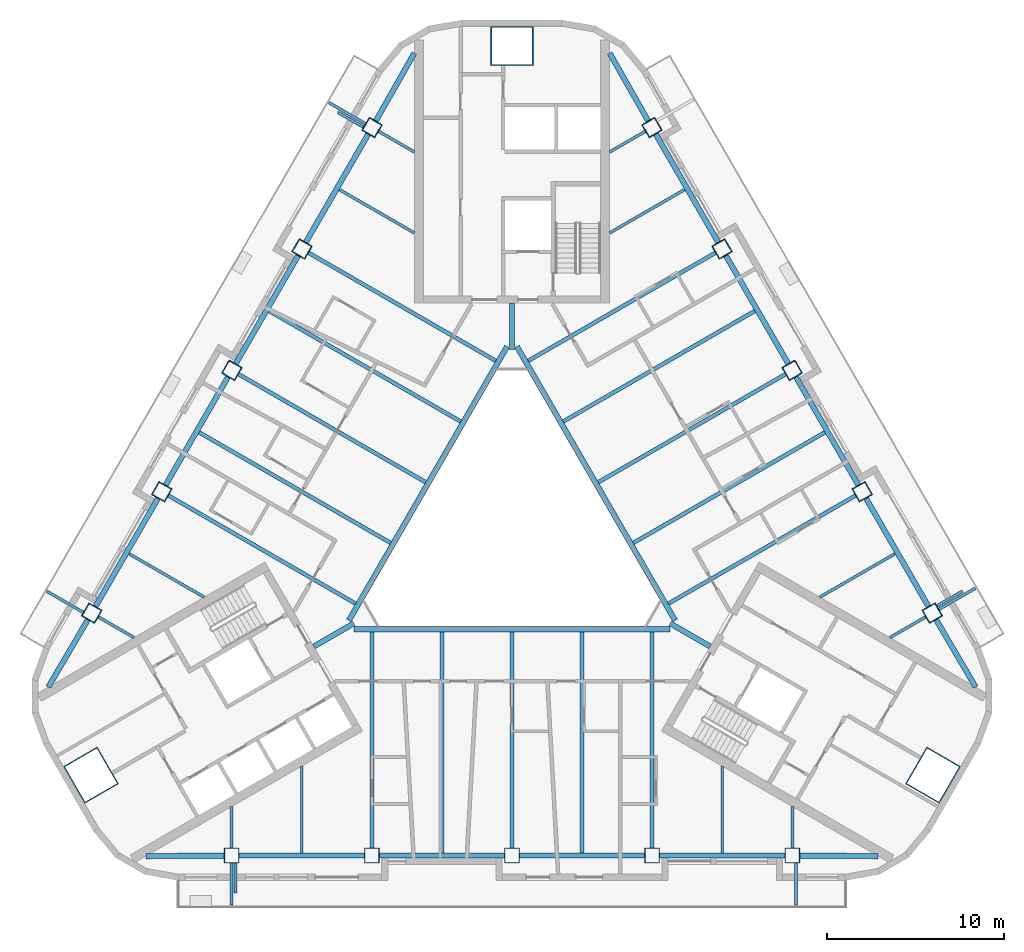
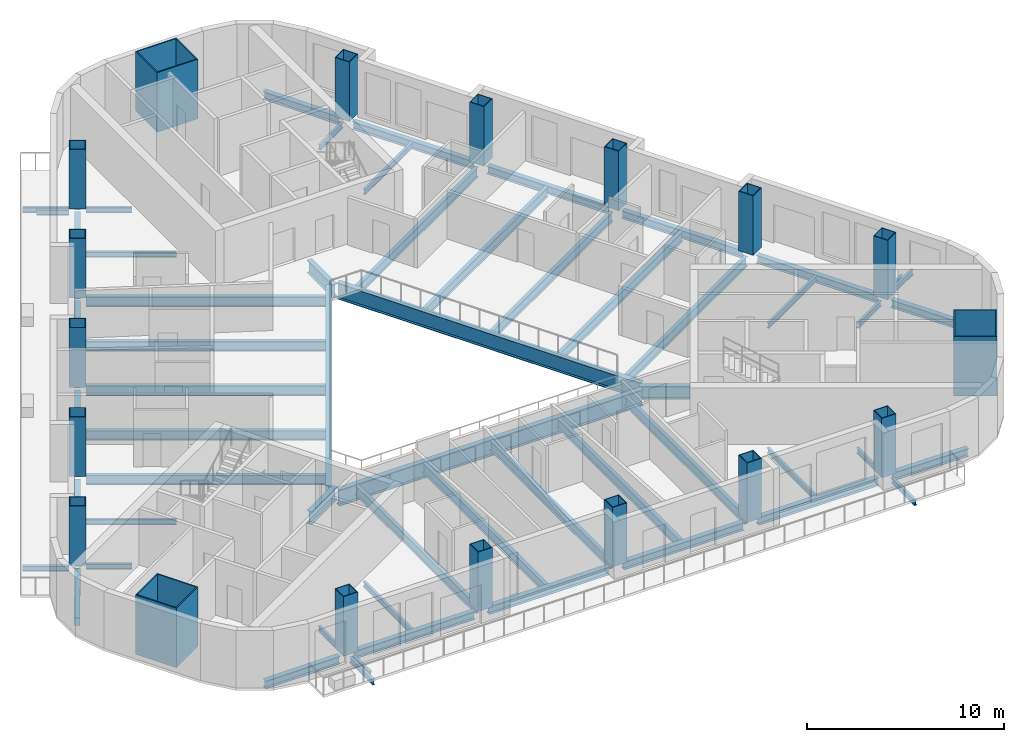
# One storey, part 1 of 14: 59 beams, 18 columns.
"""IFC4 building model written with IfcOpenShell, lengths in metres."""

from ifc_helpers import new_model, si_unit, direction, frame, origin, origin_2d, place, context, subcontext, project, spatial, rectangle, hollow_rectangle, i_section, extrude, material, material_profile, profile_set, type_object, element, save


model = new_model("IFC4")

# Units and contexts
model_context = context("Model", 3, precision=1e-05, world=origin(), true_north=direction((0.0, 1.0)))
body_context = subcontext(model_context, "Body", "Model", "MODEL_VIEW")
ifc_project = project(units=[si_unit("LENGTHUNIT", "METRE"), si_unit("AREAUNIT", "SQUARE_METRE"), si_unit("VOLUMEUNIT", "CUBIC_METRE"), si_unit("PLANEANGLEUNIT", "RADIAN"), si_unit("MASSUNIT", "GRAM", prefix="KILO")], contexts=[model_context])

# Site, building, storey
site_placement = place(None, origin())
site = spatial("IfcSite", under=ifc_project, at=site_placement, CompositionType="ELEMENT")
building_placement = place(site_placement, origin())
building = spatial("IfcBuilding", under=site, at=building_placement, Name="Apuvela Tower Hotel", CompositionType="ELEMENT")
storey_placement = place(building_placement, frame((0.0, 0.0, 150.300048828125)))
storey = spatial("IfcBuildingStorey", under=building, at=storey_placement, Name="L35", CompositionType="ELEMENT", Elevation=150.300048828125)

# Columns
ifc_material_1 = material(Name="Steel S460", Category="steel")
ifc_material_profile_1 = material_profile(ifc_material_1, hollow_rectangle(XDim=2.39990234375, YDim=2.199951171875, WallThickness=0.06005859375, at=origin_2d()), Name="BOX 2400x2200x60")
ifc_material_2 = material(Name="Concrete C80/95", Category="concrete")
ifc_material_profile_2 = material_profile(ifc_material_2, rectangle(XDim=2.280029296875, YDim=2.080078125, at=origin_2d()), Name="Concrete C80/95 infill")
ifc_profile_set_1 = profile_set([ifc_material_profile_1, ifc_material_profile_2], Name="Steel S460")
column_type_1 = type_object("IfcColumnType", Name="STR-MC mega column BOX 2400x2200x60", PredefinedType="COLUMN", material=ifc_profile_set_1)
for number, where, z_axis, x_axis, name in (
    (1, (0.0, 27.39990234375, 0.0), (0.0, 0.0, 1.0), (1.0, 0.0, 0.0), "Mega column MC3 N"),
    (2, (-23.72900390625, -13.699951171875, 0.0), (0.0, 0.0, 1.0), (-0.5, 0.866025403784, 0.0), "Mega column MC3 SW"),
    (3, (23.72900390625, -13.699951171875, 0.0), (0.0, 0.0, 1.0), (0.5, 0.866025403784, 0.0), "Mega column MC3 SE"),
):
    element("IfcColumn", number, at=place(storey_placement, frame(where, z_axis=z_axis, x_axis=x_axis)), inside=storey, type_object=column_type_1, Name=name, PredefinedType="COLUMN", context=body_context, shape_type="SweptSolid", body=[
        extrude(hollow_rectangle(XDim=2.39990234375, YDim=2.199951171875, WallThickness=0.06005859375, at=origin_2d()), origin(), (0.0, 0.0, 1.0), 3.699951171875),
    ])
ifc_material_profile_3 = material_profile(ifc_material_1, hollow_rectangle(XDim=0.85009765625, YDim=0.85009765625, WallThickness=0.0400390625, at=origin_2d()), Name="BOX 850x850x40")
ifc_material_profile_4 = material_profile(ifc_material_2, rectangle(XDim=0.77001953125, YDim=0.77001953125, at=origin_2d()), Name="Concrete C80/95 infill")
ifc_profile_set_2 = profile_set([ifc_material_profile_3, ifc_material_profile_4], Name="Steel S460")
column_type_2 = type_object("IfcColumnType", Name="STR-PC perimeter column BOX 850x850x40", PredefinedType="COLUMN", material=ifc_profile_set_2)
for number, where, z_axis, x_axis, name in (
    (4, (-15.800048828125, -18.22998046875, 0.0), (0.0, 0.0, 1.0), (-1.0, 0.0, 0.0), "Perimeter column C4 S1"),
    (5, (-7.89990234375, -18.22998046875, 0.0), (0.0, 0.0, 1.0), (-1.0, 0.0, 0.0), "Perimeter column C4 S2"),
    (6, (0.0, -18.22998046875, 0.0), (0.0, 0.0, 1.0), (-1.0, 0.0, 0.0), "Perimeter column C4 S3"),
    (7, (7.89990234375, -18.22998046875, 0.0), (0.0, 0.0, 1.0), (-1.0, 0.0, 0.0), "Perimeter column C4 S4"),
    (8, (15.800048828125, -18.22998046875, 0.0), (0.0, 0.0, 1.0), (-1.0, 0.0, 0.0), "Perimeter column C4 S5"),
    (9, (23.6875, -4.568115234375, 0.0), (0.0, 0.0, 1.0), (-0.5, 0.866025403784, 0.0), "Perimeter column C4 NE1"),
    (10, (19.737548828125, 2.2734375, 0.0), (0.0, 0.0, 1.0), (-0.5, 0.866025403784, 0.0), "Perimeter column C4 NE2"),
    (11, (15.78759765625, 9.114990234375, 0.0), (0.0, 0.0, 1.0), (-0.5, 0.866025403784, 0.0), "Perimeter column C4 NE3"),
    (12, (11.837646484375, 15.95654296875, 0.0), (0.0, 0.0, 1.0), (-0.5, 0.866025403784, 0.0), "Perimeter column C4 NE4"),
    (13, (7.8876953125, 22.798095703125, 0.0), (0.0, 0.0, 1.0), (-0.5, 0.866025403784, 0.0), "Perimeter column C4 NE5"),
    (14, (-7.8876953125, 22.798095703125, 0.0), (0.0, 0.0, 1.0), (0.5, 0.866025403784, 0.0), "Perimeter column C4 NW1"),
    (15, (-11.837646484375, 15.95654296875, 0.0), (0.0, 0.0, 1.0), (0.5, 0.866025403784, 0.0), "Perimeter column C4 NW2"),
    (16, (-15.78759765625, 9.114990234375, 0.0), (0.0, 0.0, 1.0), (0.5, 0.866025403784, 0.0), "Perimeter column C4 NW3"),
    (17, (-19.737548828125, 2.2734375, 0.0), (0.0, 0.0, 1.0), (0.5, 0.866025403784, 0.0), "Perimeter column C4 NW4"),
    (18, (-23.6875, -4.568115234375, 0.0), (0.0, 0.0, 1.0), (0.5, 0.866025403784, 0.0), "Perimeter column C4 NW5"),
):
    element("IfcColumn", number, at=place(storey_placement, frame(where, z_axis=z_axis, x_axis=x_axis)), inside=storey, type_object=column_type_2, Name=name, PredefinedType="COLUMN", context=body_context, shape_type="SweptSolid", body=[
        extrude(hollow_rectangle(XDim=0.85009765625, YDim=0.85009765625, WallThickness=0.0400390625, at=origin_2d()), origin(), (0.0, 0.0, 1.0), 3.699951171875),
    ])

# Beams
ifc_material_3 = material(Name="Steel S355", Category="steel")
ifc_material_profile_5 = material_profile(ifc_material_3, i_section(OverallWidth=0.159912109375, OverallDepth=0.330078125, WebThickness=0.007568359375, FlangeThickness=0.011474609375, at=origin_2d()), Name="IPE 330")
ifc_profile_set_3 = profile_set([ifc_material_profile_5], Name="Steel S355")
beam_type_1 = type_object("IfcBeamType", Name="ENV-BALCONY-BEAM-IPE330", PredefinedType="BEAM", material=ifc_profile_set_3)
beam_1_placement = place(storey_placement, frame((-15.800048828125, -18.655029296875, -0.31494140625), z_axis=(0.0, -1.0, 0.0), x_axis=(1.0, 0.0, 0.0)))
element("IfcBeam", 19, at=beam_1_placement, inside=storey, type_object=beam_type_1, Name="Balcony cantilever beam S1 L35", PredefinedType="BEAM", context=body_context, shape_type="SweptSolid", body=[
    extrude(i_section(OverallWidth=0.159912109375, OverallDepth=0.330078125, WebThickness=0.007568359375, FlangeThickness=0.011474609375, at=origin_2d()), origin(), (0.0, 0.0, 1.0), 2.375),
])
beam_2_placement = place(storey_placement, frame((-15.580078125, -18.655029296875, -0.31494140625), z_axis=(0.0, -1.0, 0.0), x_axis=(1.0, 0.0, 0.0)))
element("IfcBeam", 20, at=beam_2_placement, inside=storey, type_object=beam_type_1, Name="Balcony cantilever beam S2 L35", PredefinedType="BEAM", context=body_context, shape_type="SweptSolid", body=[
    extrude(i_section(OverallWidth=0.159912109375, OverallDepth=0.330078125, WebThickness=0.007568359375, FlangeThickness=0.011474609375, at=origin_2d()), origin(), (0.0, 0.0, 1.0), 1.675048828125),
])
for number, where, z_axis, x_axis, name in (
    (21, (16.0, -18.655029296875, -0.31494140625), (0.0, -1.0, 0.0), (1.0, 0.0, 0.0), "Balcony cantilever beam S3 L35"),
    (22, (24.0556640625, -4.355712890625, -0.31494140625), (0.866033238375, 0.499986429846, 0.0), (-0.499986429846, 0.866033238375, 0.0), "Balcony cantilever beam NE1 L35"),
):
    element("IfcBeam", number, at=place(storey_placement, frame(where, z_axis=z_axis, x_axis=x_axis)), inside=storey, type_object=beam_type_1, Name=name, PredefinedType="BEAM", context=body_context, shape_type="SweptSolid", body=[
        extrude(i_section(OverallWidth=0.159912109375, OverallDepth=0.330078125, WebThickness=0.007568359375, FlangeThickness=0.011474609375, at=origin_2d()), origin(), (0.0, 0.0, 1.0), 2.375),
    ])
beam_3_placement = place(storey_placement, frame((23.94580078125, -4.165283203125, -0.31494140625), z_axis=(0.865964676353, 0.500105168249, 0.0), x_axis=(-0.500105168249, 0.865964676353, 0.0)))
element("IfcBeam", 23, at=beam_3_placement, inside=storey, type_object=beam_type_1, Name="Balcony cantilever beam NE2 L35", PredefinedType="BEAM", context=body_context, shape_type="SweptSolid", body=[
    extrude(i_section(OverallWidth=0.159912109375, OverallDepth=0.330078125, WebThickness=0.007568359375, FlangeThickness=0.011474609375, at=origin_2d()), origin(), (0.0, 0.0, 1.0), 1.675048828125),
])
beam_4_placement = place(storey_placement, frame((-8.255615234375, 23.0107421875, -0.31494140625), z_axis=(-0.866033238375, 0.499986429846, 0.0), x_axis=(-0.499986429846, -0.866033238375, 0.0)))
element("IfcBeam", 24, at=beam_4_placement, inside=storey, type_object=beam_type_1, Name="Balcony cantilever beam NW1 L35", PredefinedType="BEAM", context=body_context, shape_type="SweptSolid", body=[
    extrude(i_section(OverallWidth=0.159912109375, OverallDepth=0.330078125, WebThickness=0.007568359375, FlangeThickness=0.011474609375, at=origin_2d()), origin(), (0.0, 0.0, 1.0), 2.375),
])
beam_5_placement = place(storey_placement, frame((-8.36572265625, 22.8203125, -0.31494140625), z_axis=(-0.866064234506, 0.499932737185, 0.0), x_axis=(-0.499932737185, -0.866064234506, 0.0)))
element("IfcBeam", 25, at=beam_5_placement, inside=storey, type_object=beam_type_1, Name="Balcony cantilever beam NW2 L35", PredefinedType="BEAM", context=body_context, shape_type="SweptSolid", body=[
    extrude(i_section(OverallWidth=0.159912109375, OverallDepth=0.330078125, WebThickness=0.007568359375, FlangeThickness=0.011474609375, at=origin_2d()), origin(), (0.0, 0.0, 1.0), 1.675048828125),
])
beam_6_placement = place(storey_placement, frame((-24.15576171875, -4.52880859375, -0.31494140625), z_axis=(-0.866007538022, 0.500030943131, 0.0), x_axis=(-0.500030943131, -0.866007538022, 0.0)))
element("IfcBeam", 26, at=beam_6_placement, inside=storey, type_object=beam_type_1, Name="Balcony cantilever beam NW3 L35", PredefinedType="BEAM", context=body_context, shape_type="SweptSolid", body=[
    extrude(i_section(OverallWidth=0.159912109375, OverallDepth=0.330078125, WebThickness=0.007568359375, FlangeThickness=0.011474609375, at=origin_2d()), origin(), (0.0, 0.0, 1.0), 2.374755859375),
])
ifc_material_profile_6 = material_profile(ifc_material_3, i_section(OverallWidth=0.159912109375, OverallDepth=0.330078125, WebThickness=0.007568359375, FlangeThickness=0.011474609375, at=origin_2d()), Name="IPE 330")
ifc_profile_set_4 = profile_set([ifc_material_profile_6], Name="Steel S355")
beam_type_2 = type_object("IfcBeamType", Name="STR-B floor beam IPE 330", PredefinedType="BEAM", material=ifc_profile_set_4)
beam_7_placement = place(storey_placement, frame((23.319580078125, -4.78076171875, -0.31494140625), z_axis=(-0.866018215049, -0.500012451049, 0.0), x_axis=(0.500012451049, -0.866018215049, 0.0)))
element("IfcBeam", 27, at=beam_7_placement, inside=storey, type_object=beam_type_2, Name="Floor beam B1 NE1", PredefinedType="BEAM", context=body_context, shape_type="SweptSolid", body=[
    extrude(i_section(OverallWidth=0.159912109375, OverallDepth=0.330078125, WebThickness=0.007568359375, FlangeThickness=0.011474609375, at=origin_2d()), origin(), (0.0, 0.0, 1.0), 2.33203125),
])
for number, where, z_axis, x_axis, name in (
    (28, (21.582763671875, -1.222412109375, -0.31494140625), (-0.866015056278, -0.500017921979, 0.0), (0.500017921979, -0.866015056278, 0.0), "Floor beam B1 NE2"),
    (29, (9.732666015625, 19.302490234375, -0.31494140625), (-0.866015056278, -0.500017921979, 0.0), (0.500017921979, -0.866015056278, 0.0), "Floor beam B1 NE8"),
):
    element("IfcBeam", number, at=place(storey_placement, frame(where, z_axis=z_axis, x_axis=x_axis)), inside=storey, type_object=beam_type_2, Name=name, PredefinedType="BEAM", context=body_context, shape_type="SweptSolid", body=[
        extrude(i_section(OverallWidth=0.159912109375, OverallDepth=0.330078125, WebThickness=0.007568359375, FlangeThickness=0.011474609375, at=origin_2d()), origin(), (0.0, 0.0, 1.0), 4.887451171875),
    ])
for number, where, z_axis, x_axis, name in (
    (30, (7.51953125, 22.585693359375, -0.31494140625), (-0.866018215049, -0.500012451049, 0.0), (0.500012451049, -0.866018215049, 0.0), "Floor beam B1 NE9"),
    (31, (-7.51953125, 22.585693359375, -0.31494140625), (0.866018215049, -0.500012451049, 0.0), (0.500012451049, 0.866018215049, 0.0), "Floor beam B1 NW1"),
):
    element("IfcBeam", number, at=place(storey_placement, frame(where, z_axis=z_axis, x_axis=x_axis)), inside=storey, type_object=beam_type_2, Name=name, PredefinedType="BEAM", context=body_context, shape_type="SweptSolid", body=[
        extrude(i_section(OverallWidth=0.159912109375, OverallDepth=0.330078125, WebThickness=0.007568359375, FlangeThickness=0.011474609375, at=origin_2d()), origin(), (0.0, 0.0, 1.0), 2.33203125),
    ])
for number, where, z_axis, x_axis, name in (
    (32, (-9.732666015625, 19.302490234375, -0.31494140625), (0.866015056278, -0.500017921979, 0.0), (0.500017921979, 0.866015056278, 0.0), "Floor beam B1 NW2"),
    (33, (-21.582763671875, -1.222412109375, -0.31494140625), (0.866015056278, -0.500017921979, 0.0), (0.500017921979, 0.866015056278, 0.0), "Floor beam B1 NW8"),
):
    element("IfcBeam", number, at=place(storey_placement, frame(where, z_axis=z_axis, x_axis=x_axis)), inside=storey, type_object=beam_type_2, Name=name, PredefinedType="BEAM", context=body_context, shape_type="SweptSolid", body=[
        extrude(i_section(OverallWidth=0.159912109375, OverallDepth=0.330078125, WebThickness=0.007568359375, FlangeThickness=0.011474609375, at=origin_2d()), origin(), (0.0, 0.0, 1.0), 4.887451171875),
    ])
for number, where, z_axis, x_axis, name in (
    (34, (-23.319580078125, -4.78076171875, -0.31494140625), (0.866018215049, -0.500012451049, 0.0), (0.500012451049, 0.866018215049, 0.0), "Floor beam B1 NW9"),
    (35, (-15.800048828125, -17.804931640625, -0.31494140625), (0.0, 1.0, 0.0), (-1.0, 0.0, 0.0), "Floor beam B1 S1"),
):
    element("IfcBeam", number, at=place(storey_placement, frame(where, z_axis=z_axis, x_axis=x_axis)), inside=storey, type_object=beam_type_2, Name=name, PredefinedType="BEAM", context=body_context, shape_type="SweptSolid", body=[
        extrude(i_section(OverallWidth=0.159912109375, OverallDepth=0.330078125, WebThickness=0.007568359375, FlangeThickness=0.011474609375, at=origin_2d()), origin(), (0.0, 0.0, 1.0), 2.33203125),
    ])
for number, where, z_axis, x_axis, name in (
    (36, (-11.85009765625, -18.080078125, -0.31494140625), (0.0, 1.0, 0.0), (-1.0, 0.0, 0.0), "Floor beam B1 S2"),
    (37, (11.85009765625, -18.080078125, -0.31494140625), (0.0, 1.0, 0.0), (-1.0, 0.0, 0.0), "Floor beam B1 S8"),
):
    element("IfcBeam", number, at=place(storey_placement, frame(where, z_axis=z_axis, x_axis=x_axis)), inside=storey, type_object=beam_type_2, Name=name, PredefinedType="BEAM", context=body_context, shape_type="SweptSolid", body=[
        extrude(i_section(OverallWidth=0.159912109375, OverallDepth=0.330078125, WebThickness=0.007568359375, FlangeThickness=0.011474609375, at=origin_2d()), origin(), (0.0, 0.0, 1.0), 4.8876953125),
    ])
beam_8_placement = place(storey_placement, frame((15.800048828125, -17.804931640625, -0.31494140625), z_axis=(0.0, 1.0, 0.0), x_axis=(-1.0, 0.0, 0.0)))
element("IfcBeam", 38, at=beam_8_placement, inside=storey, type_object=beam_type_2, Name="Floor beam B1 S9", PredefinedType="BEAM", context=body_context, shape_type="SweptSolid", body=[
    extrude(i_section(OverallWidth=0.159912109375, OverallDepth=0.330078125, WebThickness=0.007568359375, FlangeThickness=0.011474609375, at=origin_2d()), origin(), (0.0, 0.0, 1.0), 2.33203125),
])
ifc_material_profile_7 = material_profile(ifc_material_3, i_section(OverallWidth=0.219970703125, OverallDepth=0.60009765625, WebThickness=0.011962890625, FlangeThickness=0.01904296875, at=origin_2d()), Name="IPE 600")
ifc_profile_set_5 = profile_set([ifc_material_profile_7], Name="Steel S355")
beam_type_3 = type_object("IfcBeamType", Name="STR-B floor beam IPE 600", PredefinedType="BEAM", material=ifc_profile_set_5)
beam_9_placement = place(storey_placement, frame((19.36962890625, 2.060791015625, -0.449951171875), z_axis=(-0.866032437209, -0.499987817553, 0.0), x_axis=(0.499987817553, -0.866032437209, 0.0)))
element("IfcBeam", 39, at=beam_9_placement, inside=storey, type_object=beam_type_3, Name="Floor beam B8 NE3", PredefinedType="BEAM", context=body_context, shape_type="SweptSolid", body=[
    extrude(i_section(OverallWidth=0.219970703125, OverallDepth=0.60009765625, WebThickness=0.011962890625, FlangeThickness=0.01904296875, at=origin_2d()), origin(), (0.0, 0.0, 1.0), 12.184814453125),
])
beam_10_placement = place(storey_placement, frame((17.6328125, 5.619140625, -0.449951171875), z_axis=(-0.866027987673, -0.499995524547, 0.0), x_axis=(0.499995524547, -0.866027987673, 0.0)))
element("IfcBeam", 40, at=beam_10_placement, inside=storey, type_object=beam_type_3, Name="Floor beam B8 NE4", PredefinedType="BEAM", context=body_context, shape_type="SweptSolid", body=[
    extrude(i_section(OverallWidth=0.219970703125, OverallDepth=0.60009765625, WebThickness=0.011962890625, FlangeThickness=0.01904296875, at=origin_2d()), origin(), (0.0, 0.0, 1.0), 12.4599609375),
])
beam_11_placement = place(storey_placement, frame((15.419677734375, 8.902587890625, -0.449951171875), z_axis=(-0.8660237613, -0.500002844856, 0.0), x_axis=(0.500002844856, -0.8660237613, 0.0)))
element("IfcBeam", 41, at=beam_11_placement, inside=storey, type_object=beam_type_3, Name="Floor beam B8 NE5", PredefinedType="BEAM", context=body_context, shape_type="SweptSolid", body=[
    extrude(i_section(OverallWidth=0.219970703125, OverallDepth=0.60009765625, WebThickness=0.011962890625, FlangeThickness=0.01904296875, at=origin_2d()), origin(), (0.0, 0.0, 1.0), 12.18505859375),
])
beam_12_placement = place(storey_placement, frame((13.6826171875, 12.460693359375, -0.449951171875), z_axis=(-0.866023089177, -0.500004008996, 0.0), x_axis=(0.500004008996, -0.866023089177, 0.0)))
element("IfcBeam", 42, at=beam_12_placement, inside=storey, type_object=beam_type_3, Name="Floor beam B8 NE6", PredefinedType="BEAM", context=body_context, shape_type="SweptSolid", body=[
    extrude(i_section(OverallWidth=0.219970703125, OverallDepth=0.60009765625, WebThickness=0.011962890625, FlangeThickness=0.01904296875, at=origin_2d()), origin(), (0.0, 0.0, 1.0), 12.4599609375),
])
for number, where, z_axis, x_axis, name in (
    (43, (11.469482421875, 15.744140625, -0.449951171875), (-0.8660237613, -0.500002844856, 0.0), (0.500002844856, -0.8660237613, 0.0), "Floor beam B8 NE7"),
    (44, (-11.469482421875, 15.744140625, -0.449951171875), (0.8660237613, -0.500002844856, 0.0), (0.500002844856, 0.8660237613, 0.0), "Floor beam B8 NW3"),
):
    element("IfcBeam", number, at=place(storey_placement, frame(where, z_axis=z_axis, x_axis=x_axis)), inside=storey, type_object=beam_type_3, Name=name, PredefinedType="BEAM", context=body_context, shape_type="SweptSolid", body=[
        extrude(i_section(OverallWidth=0.219970703125, OverallDepth=0.60009765625, WebThickness=0.011962890625, FlangeThickness=0.01904296875, at=origin_2d()), origin(), (0.0, 0.0, 1.0), 12.18505859375),
    ])
beam_13_placement = place(storey_placement, frame((-13.6826171875, 12.460693359375, -0.449951171875), z_axis=(0.866023089177, -0.500004008996, 0.0), x_axis=(0.500004008996, 0.866023089177, 0.0)))
element("IfcBeam", 45, at=beam_13_placement, inside=storey, type_object=beam_type_3, Name="Floor beam B8 NW4", PredefinedType="BEAM", context=body_context, shape_type="SweptSolid", body=[
    extrude(i_section(OverallWidth=0.219970703125, OverallDepth=0.60009765625, WebThickness=0.011962890625, FlangeThickness=0.01904296875, at=origin_2d()), origin(), (0.0, 0.0, 1.0), 12.4599609375),
])
beam_14_placement = place(storey_placement, frame((-15.419677734375, 8.902587890625, -0.449951171875), z_axis=(0.8660237613, -0.500002844856, 0.0), x_axis=(0.500002844856, 0.8660237613, 0.0)))
element("IfcBeam", 46, at=beam_14_placement, inside=storey, type_object=beam_type_3, Name="Floor beam B8 NW5", PredefinedType="BEAM", context=body_context, shape_type="SweptSolid", body=[
    extrude(i_section(OverallWidth=0.219970703125, OverallDepth=0.60009765625, WebThickness=0.011962890625, FlangeThickness=0.01904296875, at=origin_2d()), origin(), (0.0, 0.0, 1.0), 12.18505859375),
])
beam_15_placement = place(storey_placement, frame((-17.6328125, 5.619140625, -0.449951171875), z_axis=(0.866027987673, -0.499995524547, 0.0), x_axis=(0.499995524547, 0.866027987673, 0.0)))
element("IfcBeam", 47, at=beam_15_placement, inside=storey, type_object=beam_type_3, Name="Floor beam B8 NW6", PredefinedType="BEAM", context=body_context, shape_type="SweptSolid", body=[
    extrude(i_section(OverallWidth=0.219970703125, OverallDepth=0.60009765625, WebThickness=0.011962890625, FlangeThickness=0.01904296875, at=origin_2d()), origin(), (0.0, 0.0, 1.0), 12.4599609375),
])
for number, where, z_axis, x_axis, name in (
    (48, (-19.36962890625, 2.060791015625, -0.449951171875), (0.866032437209, -0.499987817553, 0.0), (0.499987817553, 0.866032437209, 0.0), "Floor beam B8 NW7"),
    (49, (-7.89990234375, -17.804931640625, -0.449951171875), (0.0, 1.0, 0.0), (-1.0, 0.0, 0.0), "Floor beam B8 S3"),
):
    element("IfcBeam", number, at=place(storey_placement, frame(where, z_axis=z_axis, x_axis=x_axis)), inside=storey, type_object=beam_type_3, Name=name, PredefinedType="BEAM", context=body_context, shape_type="SweptSolid", body=[
        extrude(i_section(OverallWidth=0.219970703125, OverallDepth=0.60009765625, WebThickness=0.011962890625, FlangeThickness=0.01904296875, at=origin_2d()), origin(), (0.0, 0.0, 1.0), 12.184814453125),
    ])
beam_16_placement = place(storey_placement, frame((-3.949951171875, -18.080078125, -0.449951171875), z_axis=(0.0, 1.0, 0.0), x_axis=(-1.0, 0.0, 0.0)))
element("IfcBeam", 50, at=beam_16_placement, inside=storey, type_object=beam_type_3, Name="Floor beam B8 S4", PredefinedType="BEAM", context=body_context, shape_type="SweptSolid", body=[
    extrude(i_section(OverallWidth=0.219970703125, OverallDepth=0.60009765625, WebThickness=0.011962890625, FlangeThickness=0.01904296875, at=origin_2d()), origin(), (0.0, 0.0, 1.0), 12.4599609375),
])
beam_17_placement = place(storey_placement, frame((0.0, -17.804931640625, -0.449951171875), z_axis=(0.0, 1.0, 0.0), x_axis=(-1.0, 0.0, 0.0)))
element("IfcBeam", 51, at=beam_17_placement, inside=storey, type_object=beam_type_3, Name="Floor beam B8 S5", PredefinedType="BEAM", context=body_context, shape_type="SweptSolid", body=[
    extrude(i_section(OverallWidth=0.219970703125, OverallDepth=0.60009765625, WebThickness=0.011962890625, FlangeThickness=0.01904296875, at=origin_2d()), origin(), (0.0, 0.0, 1.0), 12.184814453125),
])
beam_18_placement = place(storey_placement, frame((3.949951171875, -18.080078125, -0.449951171875), z_axis=(0.0, 1.0, 0.0), x_axis=(-1.0, 0.0, 0.0)))
element("IfcBeam", 52, at=beam_18_placement, inside=storey, type_object=beam_type_3, Name="Floor beam B8 S6", PredefinedType="BEAM", context=body_context, shape_type="SweptSolid", body=[
    extrude(i_section(OverallWidth=0.219970703125, OverallDepth=0.60009765625, WebThickness=0.011962890625, FlangeThickness=0.01904296875, at=origin_2d()), origin(), (0.0, 0.0, 1.0), 12.4599609375),
])
beam_19_placement = place(storey_placement, frame((7.89990234375, -17.804931640625, -0.449951171875), z_axis=(0.0, 1.0, 0.0), x_axis=(-1.0, 0.0, 0.0)))
element("IfcBeam", 53, at=beam_19_placement, inside=storey, type_object=beam_type_3, Name="Floor beam B8 S7", PredefinedType="BEAM", context=body_context, shape_type="SweptSolid", body=[
    extrude(i_section(OverallWidth=0.219970703125, OverallDepth=0.60009765625, WebThickness=0.011962890625, FlangeThickness=0.01904296875, at=origin_2d()), origin(), (0.0, 0.0, 1.0), 12.184814453125),
])
ifc_material_profile_8 = material_profile(ifc_material_3, i_section(OverallWidth=0.300048828125, OverallDepth=1.0, WebThickness=0.01904296875, FlangeThickness=0.035888671875, at=origin_2d()), Name="HE 1000 B")
ifc_profile_set_6 = profile_set([ifc_material_profile_8], Name="Steel S355")
beam_type_4 = type_object("IfcBeamType", Name="STR-G atrium ring girder HE 1000 B", PredefinedType="BEAM", material=ifc_profile_set_6)
beam_20_placement = place(storey_placement, frame((-0.27978515625, 10.455078125, -0.650146484375), z_axis=(-0.500006541319, -0.866021627119, 0.0), x_axis=(0.866021627119, -0.500006541319, 0.0)))
element("IfcBeam", 54, at=beam_20_placement, inside=storey, type_object=beam_type_4, Name="Atrium ring girder G2 N-SW", PredefinedType="BEAM", context=body_context, shape_type="SweptSolid", body=[
    extrude(i_section(OverallWidth=0.300048828125, OverallDepth=1.0, WebThickness=0.01904296875, FlangeThickness=0.035888671875, at=origin_2d()), origin(), (0.0, 0.0, 1.0), 17.828857421875),
])
beam_21_placement = place(storey_placement, frame((-8.91455078125, -5.469970703125, -0.650146484375), z_axis=(1.0, 0.0, 0.0), x_axis=(0.0, 1.0, 0.0)))
element("IfcBeam", 55, at=beam_21_placement, inside=storey, type_object=beam_type_4, Name="Atrium ring girder G2 SW-SE", PredefinedType="BEAM", context=body_context, shape_type="SweptSolid", body=[
    extrude(i_section(OverallWidth=0.300048828125, OverallDepth=1.0, WebThickness=0.01904296875, FlangeThickness=0.035888671875, at=origin_2d()), origin(), (0.0, 0.0, 1.0), 17.8291015625),
])
beam_22_placement = place(storey_placement, frame((9.1943359375, -4.985107421875, -0.650146484375), z_axis=(-0.500006541319, 0.866021627119, 0.0), x_axis=(-0.866021627119, -0.500006541319, 0.0)))
element("IfcBeam", 56, at=beam_22_placement, inside=storey, type_object=beam_type_4, Name="Atrium ring girder G2 SE-N", PredefinedType="BEAM", context=body_context, shape_type="SweptSolid", body=[
    extrude(i_section(OverallWidth=0.300048828125, OverallDepth=1.0, WebThickness=0.01904296875, FlangeThickness=0.035888671875, at=origin_2d()), origin(), (0.0, 0.0, 1.0), 17.828857421875),
])
ifc_material_profile_9 = material_profile(ifc_material_3, i_section(OverallWidth=0.300048828125, OverallDepth=0.800048828125, WebThickness=0.017578125, FlangeThickness=0.032958984375, at=origin_2d()), Name="HE 800 B")
ifc_profile_set_7 = profile_set([ifc_material_profile_9], Name="Steel S355")
beam_type_5 = type_object("IfcBeamType", Name="STR-GT core tie beam HE 800 B", PredefinedType="BEAM", material=ifc_profile_set_7)
for number, where, z_axis, x_axis, name in (
    (57, (0.0, 12.89990234375, -0.550048828125), (0.0, -1.0, 0.0), (1.0, 0.0, 0.0), "Core tie beam GT1 N"),
    (58, (-11.171630859375, -6.449951171875, -0.550048828125), (0.865997922154, 0.500047596559, 0.0), (-0.500047596559, 0.865997922154, 0.0), "Core tie beam GT1 SW"),
    (59, (11.171630859375, -6.449951171875, -0.550048828125), (-0.865997922154, 0.500047596559, 0.0), (-0.500047596559, -0.865997922154, 0.0), "Core tie beam GT1 SE"),
):
    element("IfcBeam", number, at=place(storey_placement, frame(where, z_axis=z_axis, x_axis=x_axis)), inside=storey, type_object=beam_type_5, Name=name, PredefinedType="BEAM", context=body_context, shape_type="SweptSolid", body=[
        extrude(i_section(OverallWidth=0.300048828125, OverallDepth=0.800048828125, WebThickness=0.017578125, FlangeThickness=0.032958984375, at=origin_2d()), origin(), (0.0, 0.0, 1.0), 2.599853515625),
    ])
ifc_material_profile_10 = material_profile(ifc_material_3, i_section(OverallWidth=0.300048828125, OverallDepth=0.489990234375, WebThickness=0.011962890625, FlangeThickness=0.02294921875, at=origin_2d()), Name="HE 500 A")
ifc_profile_set_8 = profile_set([ifc_material_profile_10], Name="Steel S355")
beam_type_6 = type_object("IfcBeamType", Name="STR-SB spandrel beam HE 500 A", PredefinedType="SPANDREL", material=ifc_profile_set_8)
for number, where, z_axis, x_axis, name in (
    (60, (-15.375, -18.22998046875, -0.39501953125), (1.0, 0.0, 0.0), (0.0, 1.0, 0.0), "Spandrel beam SB3 S1"),
    (61, (-7.47509765625, -18.22998046875, -0.39501953125), (1.0, 0.0, 0.0), (0.0, 1.0, 0.0), "Spandrel beam SB3 S2"),
    (62, (0.425048828125, -18.22998046875, -0.39501953125), (1.0, 0.0, 0.0), (0.0, 1.0, 0.0), "Spandrel beam SB3 S3"),
    (63, (8.324951171875, -18.22998046875, -0.39501953125), (1.0, 0.0, 0.0), (0.0, 1.0, 0.0), "Spandrel beam SB3 S4"),
    (64, (23.47509765625, -4.2001953125, -0.39501953125), (-0.499990246421, 0.866031034943, 0.0), (-0.866031034943, -0.499990246421, 0.0), "Spandrel beam SB3 NE1"),
):
    element("IfcBeam", number, at=place(storey_placement, frame(where, z_axis=z_axis, x_axis=x_axis)), inside=storey, type_object=beam_type_6, Name=name, PredefinedType="SPANDREL", context=body_context, shape_type="SweptSolid", body=[
        extrude(i_section(OverallWidth=0.300048828125, OverallDepth=0.489990234375, WebThickness=0.011962890625, FlangeThickness=0.02294921875, at=origin_2d()), origin(), (0.0, 0.0, 1.0), 7.050048828125),
    ])
for number, where, z_axis, x_axis, name in (
    (65, (19.525146484375, 2.6416015625, -0.39501953125), (-0.500031214443, 0.866007381368, 0.0), (-0.866007381368, -0.500031214443, 0.0), "Spandrel beam SB3 NE2"),
    (66, (15.5751953125, 9.483154296875, -0.39501953125), (-0.500031214443, 0.866007381368, 0.0), (-0.866007381368, -0.500031214443, 0.0), "Spandrel beam SB3 NE3"),
):
    element("IfcBeam", number, at=place(storey_placement, frame(where, z_axis=z_axis, x_axis=x_axis)), inside=storey, type_object=beam_type_6, Name=name, PredefinedType="SPANDREL", context=body_context, shape_type="SweptSolid", body=[
        extrude(i_section(OverallWidth=0.300048828125, OverallDepth=0.489990234375, WebThickness=0.011962890625, FlangeThickness=0.02294921875, at=origin_2d()), origin(), (0.0, 0.0, 1.0), 7.0498046875),
    ])
for number, where, z_axis, x_axis, name in (
    (67, (11.625, 16.32470703125, -0.39501953125), (-0.499990246421, 0.866031034943, 0.0), (-0.866031034943, -0.499990246421, 0.0), "Spandrel beam SB3 NE4"),
    (68, (-8.10009765625, 22.43017578125, -0.39501953125), (-0.499990246421, -0.866031034943, 0.0), (0.866031034943, -0.499990246421, 0.0), "Spandrel beam SB3 NW1"),
):
    element("IfcBeam", number, at=place(storey_placement, frame(where, z_axis=z_axis, x_axis=x_axis)), inside=storey, type_object=beam_type_6, Name=name, PredefinedType="SPANDREL", context=body_context, shape_type="SweptSolid", body=[
        extrude(i_section(OverallWidth=0.300048828125, OverallDepth=0.489990234375, WebThickness=0.011962890625, FlangeThickness=0.02294921875, at=origin_2d()), origin(), (0.0, 0.0, 1.0), 7.050048828125),
    ])
for number, where, z_axis, x_axis, name in (
    (69, (-12.050048828125, 15.58837890625, -0.39501953125), (-0.500031214443, -0.866007381368, 0.0), (0.866007381368, -0.500031214443, 0.0), "Spandrel beam SB3 NW2"),
    (70, (-16.0, 8.746826171875, -0.39501953125), (-0.500031214443, -0.866007381368, 0.0), (0.866007381368, -0.500031214443, 0.0), "Spandrel beam SB3 NW3"),
):
    element("IfcBeam", number, at=place(storey_placement, frame(where, z_axis=z_axis, x_axis=x_axis)), inside=storey, type_object=beam_type_6, Name=name, PredefinedType="SPANDREL", context=body_context, shape_type="SweptSolid", body=[
        extrude(i_section(OverallWidth=0.300048828125, OverallDepth=0.489990234375, WebThickness=0.011962890625, FlangeThickness=0.02294921875, at=origin_2d()), origin(), (0.0, 0.0, 1.0), 7.0498046875),
    ])
beam_23_placement = place(storey_placement, frame((-19.9501953125, 1.9052734375, -0.39501953125), z_axis=(-0.499990246421, -0.866031034943, 0.0), x_axis=(0.866031034943, -0.499990246421, 0.0)))
element("IfcBeam", 71, at=beam_23_placement, inside=storey, type_object=beam_type_6, Name="Spandrel beam SB3 NW4", PredefinedType="SPANDREL", context=body_context, shape_type="SweptSolid", body=[
    extrude(i_section(OverallWidth=0.300048828125, OverallDepth=0.489990234375, WebThickness=0.011962890625, FlangeThickness=0.02294921875, at=origin_2d()), origin(), (0.0, 0.0, 1.0), 7.050048828125),
])
for number, where, z_axis, x_axis, name in (
    (72, (-16.22509765625, -18.23291015625, -0.39501953125), (-0.999976414172, -0.006868122043, 0.0), (0.006868122043, -0.999976414172, 0.0), "Spandrel beam SB3 S1-SW"),
    (73, (16.22509765625, -18.23291015625, -0.39501953125), (0.999976414172, -0.006868122043, 0.0), (0.006868122043, 0.999976414172, 0.0), "Spandrel beam SB3 S5-SE"),
):
    element("IfcBeam", number, at=place(storey_placement, frame(where, z_axis=z_axis, x_axis=x_axis)), inside=storey, type_object=beam_type_6, Name=name, PredefinedType="SPANDREL", context=body_context, shape_type="SweptSolid", body=[
        extrude(i_section(OverallWidth=0.300048828125, OverallDepth=0.489990234375, WebThickness=0.011962890625, FlangeThickness=0.02294921875, at=origin_2d()), origin(), (0.0, 0.0, 1.0), 4.40771484375),
    ])
beam_24_placement = place(storey_placement, frame((23.902587890625, -4.934814453125, -0.39501953125), z_axis=(0.505966812052, -0.86255294626, 0.0), x_axis=(0.86255294626, 0.505966812052, 0.0)))
element("IfcBeam", 74, at=beam_24_placement, inside=storey, type_object=beam_type_6, Name="Spandrel beam SB3 NE1-SE", PredefinedType="SPANDREL", context=body_context, shape_type="SweptSolid", body=[
    extrude(i_section(OverallWidth=0.300048828125, OverallDepth=0.489990234375, WebThickness=0.011962890625, FlangeThickness=0.02294921875, at=origin_2d()), origin(), (0.0, 0.0, 1.0), 4.407958984375),
])
for number, where, z_axis, x_axis, name in (
    (75, (7.677734375, 23.167724609375, -0.39501953125), (-0.494061745322, 0.869426817972, 0.0), (-0.869426817972, -0.494061745322, 0.0), "Spandrel beam SB3 NE5-N"),
    (76, (-7.677734375, 23.167724609375, -0.39501953125), (0.494061745322, 0.869426817972, 0.0), (-0.869426817972, 0.494061745322, 0.0), "Spandrel beam SB3 NW1-N"),
):
    element("IfcBeam", number, at=place(storey_placement, frame(where, z_axis=z_axis, x_axis=x_axis)), inside=storey, type_object=beam_type_6, Name=name, PredefinedType="SPANDREL", context=body_context, shape_type="SweptSolid", body=[
        extrude(i_section(OverallWidth=0.300048828125, OverallDepth=0.489990234375, WebThickness=0.011962890625, FlangeThickness=0.02294921875, at=origin_2d()), origin(), (0.0, 0.0, 1.0), 4.40771484375),
    ])
beam_25_placement = place(storey_placement, frame((-23.902587890625, -4.934814453125, -0.39501953125), z_axis=(-0.505966812052, -0.86255294626, 0.0), x_axis=(0.86255294626, -0.505966812052, 0.0)))
element("IfcBeam", 77, at=beam_25_placement, inside=storey, type_object=beam_type_6, Name="Spandrel beam SB3 NW5-SW", PredefinedType="SPANDREL", context=body_context, shape_type="SweptSolid", body=[
    extrude(i_section(OverallWidth=0.300048828125, OverallDepth=0.489990234375, WebThickness=0.011962890625, FlangeThickness=0.02294921875, at=origin_2d()), origin(), (0.0, 0.0, 1.0), 4.407958984375),
])

save(model, "model.ifc")
